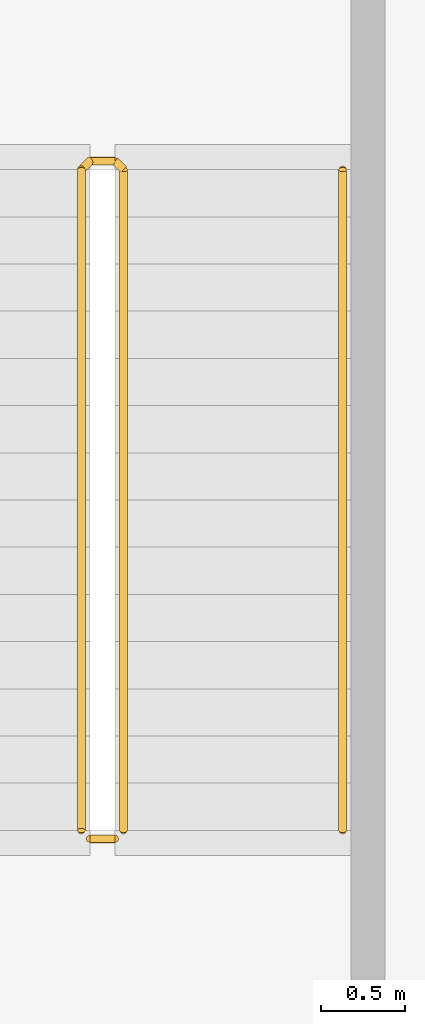
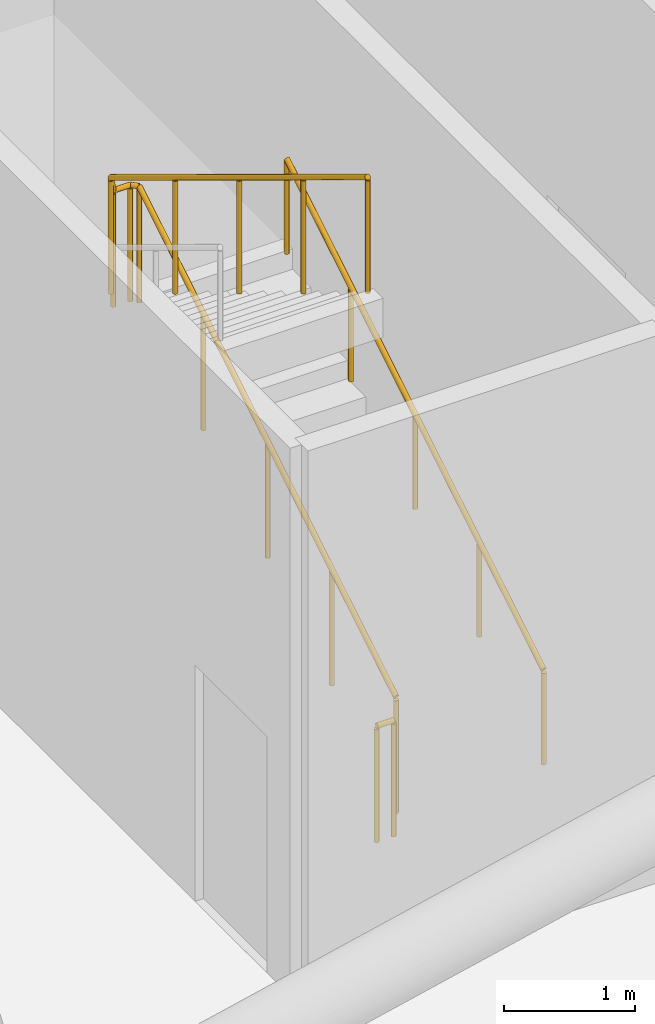
# One storey, part 29 of 30: 3 railings.
"""IFC4 building model written with IfcOpenShell, lengths in metres."""

from ifc_helpers import new_model, si_unit, direction, frame, origin, origin_2d, place, context, subcontext, project, spatial, circle, extrude, material, type_object, element, save


model = new_model("IFC4")

# Units and contexts
model_context = context("Model", 3, precision=1e-05, world=origin(), true_north=direction((0.0, 1.0)))
body_context = subcontext(model_context, "Body", "Model", "MODEL_VIEW")
ifc_project = project(units=[si_unit("LENGTHUNIT", "METRE"), si_unit("AREAUNIT", "SQUARE_METRE"), si_unit("VOLUMEUNIT", "CUBIC_METRE"), si_unit("PLANEANGLEUNIT", "RADIAN"), si_unit("MASSUNIT", "GRAM", prefix="KILO")], contexts=[model_context])

# Site, building, storey
site_placement = place(None, origin())
site = spatial("IfcSite", under=ifc_project, at=site_placement, CompositionType="ELEMENT")
building_placement = place(site_placement, origin())
building = spatial("IfcBuilding", under=site, at=building_placement, Name="Kheshtan School and Residences Tower", CompositionType="ELEMENT")
storey_placement = place(building_placement, frame((0.0, 0.0, 89.0)))
storey = spatial("IfcBuildingStorey", under=building, at=storey_placement, Name="L20", CompositionType="ELEMENT", Elevation=89.0)

# Railings
ifc_material_1 = material(Name="Stainless steel balustrade", Category="steel")
railing_type_1 = type_object("IfcRailingType", Name="Stair guard 1100", PredefinedType="GUARDRAIL", material=ifc_material_1)
railing_1_placement = place(storey_placement, frame((35.0, 80.89990234375, 0.169921875)))
element("IfcRailing", 1, at=railing_1_placement, inside=storey, type_object=railing_type_1, Name="L20 ST3 stair guard 1", PredefinedType="GUARDRAIL", context=body_context, shape_type="SweptSolid", body=[
    extrude(circle(Radius=0.02392578125, at=origin_2d()), frame((0.0, 0.0, 1.076171875), z_axis=(0.0, 0.854784984964, 0.518982301701), x_axis=(-1.0, 0.0, 0.0)), (0.0, 0.0, 1.0), 4.586181640625),
    extrude(circle(Radius=0.02392578125, at=origin_2d()), frame((0.0, 3.920166015625, 3.4560546875), z_axis=(-0.707106781187, 0.707106781187, 0.0), x_axis=(-0.707106781187, -0.707106781187, 0.0)), (0.0, 0.0, 1.0), 0.07080078125),
    extrude(circle(Radius=0.02392578125, at=origin_2d()), frame((-0.050048828125, 3.97021484375, 3.4560546875), z_axis=(-1.0, 0.0, 0.0), x_axis=(0.0, -1.0, 0.0)), (0.0, 0.0, 1.0), 0.14990234375),
    extrude(circle(Radius=0.02392578125, at=origin_2d()), frame((-0.199951171875, 3.97021484375, 3.4560546875), z_axis=(-0.271895245746, -0.271895245746, 0.923117517265), x_axis=(0.707106781187, -0.707106781187, 0.0)), (0.0, 0.0, 1.0), 0.18408203125),
    extrude(circle(Radius=0.02392578125, at=origin_2d()), frame((-0.25, 3.920166015625, 3.6259765625), z_axis=(0.0, -0.854784984964, 0.518982301701), x_axis=(1.0, 0.0, 0.0)), (0.0, 0.0, 1.0), 4.586181640625),
    extrude(circle(Radius=0.02099609375, at=origin_2d()), origin(), (0.0, 0.0, 1.0), 1.052001953125),
    extrude(circle(Radius=0.02099609375, at=origin_2d()), frame((0.0, 0.97998046875, 0.594970703125)), (0.0, 0.0, 1.0), 1.052001953125),
    extrude(circle(Radius=0.02099609375, at=origin_2d()), frame((0.0, 1.9599609375, 1.18994140625)), (0.0, 0.0, 1.0), 1.052001953125),
    extrude(circle(Radius=0.02099609375, at=origin_2d()), frame((0.0, 2.940185546875, 1.78515625)), (0.0, 0.0, 1.0), 1.052001953125),
    extrude(circle(Radius=0.02099609375, at=origin_2d()), frame((0.0, 3.920166015625, 2.380126953125)), (0.0, 0.0, 1.0), 1.052001953125),
    extrude(circle(Radius=0.02099609375, at=origin_2d()), frame((-0.050048828125, 3.97021484375, 2.380126953125)), (0.0, 0.0, 1.0), 1.052001953125),
    extrude(circle(Radius=0.02099609375, at=origin_2d()), frame((-0.199951171875, 3.97021484375, 2.380126953125)), (0.0, 0.0, 1.0), 1.052001953125),
    extrude(circle(Radius=0.02099609375, at=origin_2d()), frame((-0.25, 3.920166015625, 2.550048828125)), (0.0, 0.0, 1.0), 1.052001953125),
    extrude(circle(Radius=0.02099609375, at=origin_2d()), frame((-0.25, 2.940185546875, 3.14501953125)), (0.0, 0.0, 1.0), 1.052001953125),
    extrude(circle(Radius=0.02099609375, at=origin_2d()), frame((-0.25, 1.9599609375, 3.740234375)), (0.0, 0.0, 1.0), 1.052001953125),
    extrude(circle(Radius=0.02099609375, at=origin_2d()), frame((-0.25, 0.97998046875, 4.335205078125)), (0.0, 0.0, 1.0), 1.052001953125),
    extrude(circle(Radius=0.02099609375, at=origin_2d()), frame((-0.25, 0.0, 4.93017578125)), (0.0, 0.0, 1.0), 1.052001953125),
])
railing_2_placement = place(storey_placement, frame((34.949951171875, 80.85009765625, 0.0)))
element("IfcRailing", 2, at=railing_2_placement, inside=storey, type_object=railing_type_1, Name="L20 ST3 stair guard 2", PredefinedType="GUARDRAIL", context=body_context, shape_type="SweptSolid", body=[
    extrude(circle(Radius=0.02392578125, at=origin_2d()), frame((0.0, 0.0, 1.076171875), z_axis=(-1.0, 0.0, 0.0), x_axis=(0.0, -1.0, 0.0)), (0.0, 0.0, 1.0), 0.14990234375),
    extrude(circle(Radius=0.02099609375, at=origin_2d()), origin(), (0.0, 0.0, 1.0), 1.052001953125),
    extrude(circle(Radius=0.02099609375, at=origin_2d()), frame((-0.14990234375, 0.0, 0.0)), (0.0, 0.0, 1.0), 1.052001953125),
])
ifc_material_2 = material(Name="Stainless steel handrail", Category="steel")
railing_type_2 = type_object("IfcRailingType", Name="Stair handrail 900", PredefinedType="HANDRAIL", material=ifc_material_2)
railing_3_placement = place(storey_placement, frame((36.300048828125, 80.89990234375, 0.169921875)))
element("IfcRailing", 3, at=railing_3_placement, inside=storey, type_object=railing_type_2, Name="L20 ST3 stair handrail 1", PredefinedType="HANDRAIL", context=body_context, shape_type="SweptSolid", body=[
    extrude(circle(Radius=0.02392578125, at=origin_2d()), frame((0.0, 0.0, 0.8759765625), z_axis=(0.0, 0.854784984964, 0.518982301701), x_axis=(-1.0, 0.0, 0.0)), (0.0, 0.0, 1.0), 4.586181640625),
    extrude(circle(Radius=0.02099609375, at=origin_2d()), origin(), (0.0, 0.0, 1.0), 0.851806640625),
    extrude(circle(Radius=0.02099609375, at=origin_2d()), frame((0.0, 0.97998046875, 0.594970703125)), (0.0, 0.0, 1.0), 0.851806640625),
    extrude(circle(Radius=0.02099609375, at=origin_2d()), frame((0.0, 1.9599609375, 1.18994140625)), (0.0, 0.0, 1.0), 0.851806640625),
    extrude(circle(Radius=0.02099609375, at=origin_2d()), frame((0.0, 2.940185546875, 1.78515625)), (0.0, 0.0, 1.0), 0.851806640625),
    extrude(circle(Radius=0.02099609375, at=origin_2d()), frame((0.0, 3.920166015625, 2.380126953125)), (0.0, 0.0, 1.0), 0.851806640625),
])

save(model, "model.ifc")
